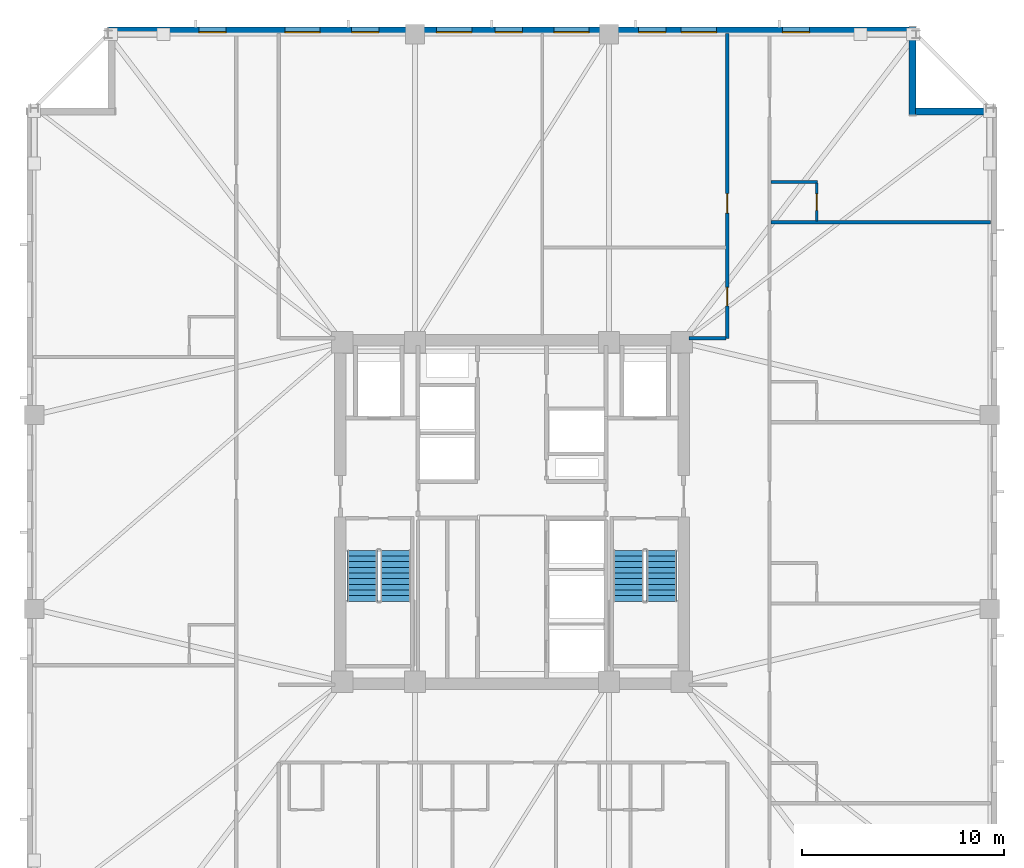
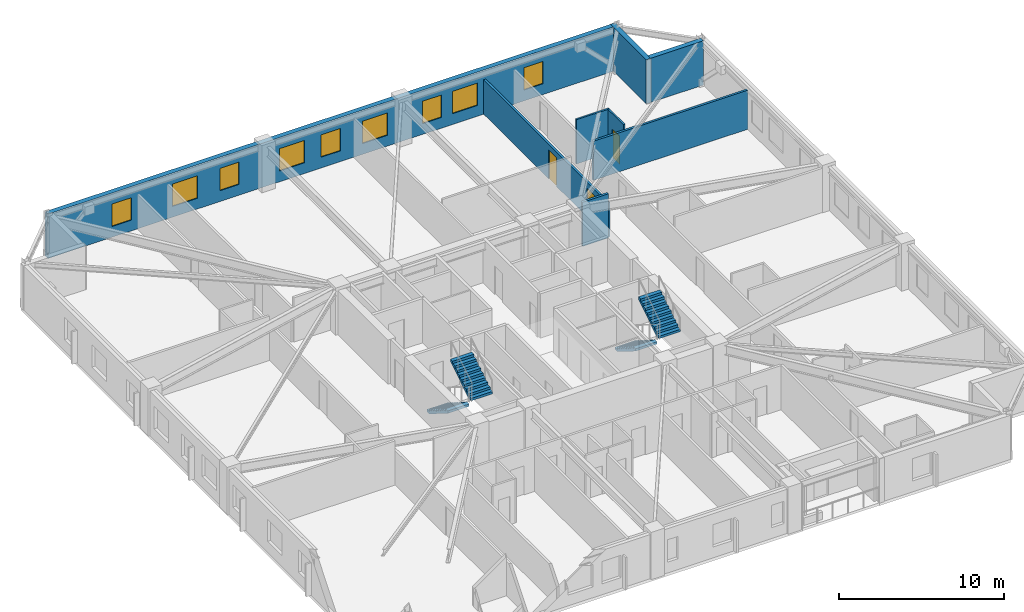
# One storey, part 6 of 11: 9 windows, 8 walls, 4 stair flights, 3 doors, 12 openings, 2 elements without a shape of their own.
"""IFC4 building model written with IfcOpenShell, lengths in metres."""

from ifc_helpers import new_model, si_unit, direction, frame, frame_2d, origin, place, context, subcontext, project, spatial, polyline, rectangle, outline, extrude, material, layer, layer_set, type_object, element, fill, aggregate, save


model = new_model("IFC4")

# Units and contexts
model_context = context("Model", 3, precision=1e-05, world=origin(), true_north=direction((0.0, 1.0)))
body_context = subcontext(model_context, "Body", "Model", "MODEL_VIEW")
ifc_project = project(units=[si_unit("LENGTHUNIT", "METRE"), si_unit("AREAUNIT", "SQUARE_METRE"), si_unit("VOLUMEUNIT", "CUBIC_METRE"), si_unit("PLANEANGLEUNIT", "RADIAN"), si_unit("MASSUNIT", "GRAM", prefix="KILO")], contexts=[model_context])

# Site, building, storey
site_placement = place(None, origin())
site = spatial("IfcSite", under=ifc_project, at=site_placement, CompositionType="ELEMENT")
building_placement = place(site_placement, origin())
building = spatial("IfcBuilding", under=site, at=building_placement, Name="Cairnveth Concourse Tower", CompositionType="ELEMENT")
storey_placement = place(building_placement, frame((0.0, 0.0, 162.0)))
storey = spatial("IfcBuildingStorey", under=building, at=storey_placement, Name="L44", CompositionType="ELEMENT", Elevation=162.0)

# Wall, openings, doors
ifc_material_1 = material(Name="Gypsum Plasterboard Partition", Category="gypsum")
ifc_layer_1 = layer(ifc_material_1, 0.159912109375)
ifc_layer_set_1 = layer_set([ifc_layer_1], Name="Gypsum Plasterboard Partition")
wall_type_1 = type_object("IfcWallType", Name="ACOUSTIC PARTY WALL 180", PredefinedType="PARTITIONING", material=ifc_layer_set_1)
wall_1_placement = place(storey_placement, frame((62.64990234375, 47.60009765625, 0.0), z_axis=(0.0, 0.0, 1.0), x_axis=(0.0, 1.0, 0.0)))
wall_1 = element("IfcWall", 1, at=wall_1_placement, inside=storey, type_object=wall_type_1, Name="Interior Wall IW-L44-043", PredefinedType="PARTITIONING", context=body_context, shape_type="SweptSolid", body=[
    extrude(rectangle(XDim=15.074951171875, YDim=0.159912109375, at=frame_2d((7.53759765625, 0.0))), origin(), (0.0, 0.0, 1.0), 2.554931640625),
])
opening_1_placement = place(wall_1_placement, frame((1.60009765625, 0.0, 0.0)))
opening_1 = element("IfcOpeningElement", 2, at=opening_1_placement, cuts=wall_1, Name="Opening ID15", PredefinedType="OPENING", context=body_context, shape_type="SweptSolid", body=[
    extrude(rectangle(XDim=0.919921875, YDim=2.1201171875, at=frame_2d((0.4599609375, 1.06005859375))), frame((0.0, 0.08984375, 0.0), z_axis=(0.0, -1.0, 0.0), x_axis=(1.0, 0.0, 0.0)), (0.0, 0.0, 1.0), 0.179931640625),
])
opening_2_placement = place(wall_1_placement, frame((6.199951171875, 0.0, 0.0)))
opening_2 = element("IfcOpeningElement", 3, at=opening_2_placement, cuts=wall_1, Name="Opening ID11", PredefinedType="OPENING", context=body_context, shape_type="SweptSolid", body=[
    extrude(rectangle(XDim=0.9599609375, YDim=2.1201171875, at=frame_2d((0.47998046875, 1.06005859375))), frame((0.0, 0.08984375, 0.0), z_axis=(0.0, -1.0, 0.0), x_axis=(1.0, 0.0, 0.0)), (0.0, 0.0, 1.0), 0.179931640625),
])
ifc_material_2 = material(Name="Solid Core Hardwood Timber Leaf", Category="wood")
door_type_1 = type_object("IfcDoorType", Name="INTERIOR SINGLE DOOR 920X2100", OperationType="NOTDEFINED", PredefinedType="DOOR", material=ifc_material_2)
door_1_placement = place(opening_1_placement, origin())
door_1 = element("IfcDoor", 4, at=door_1_placement, inside=storey, type_object=door_type_1, Name="Interior Door DR-L44-016", OperationType="SINGLE_SWING_RIGHT", OverallHeight=2.1201171875, OverallWidth=0.919921875, PredefinedType="DOOR", context=body_context, shape_type="SweptSolid", body=[
    extrude(rectangle(XDim=0.919921875, YDim=2.1201171875, at=frame_2d((0.4599609375, 1.06005859375))), frame((0.0, 0.02490234375, 0.0), z_axis=(0.0, -1.0, 0.0), x_axis=(1.0, 0.0, 0.0)), (0.0, 0.0, 1.0), 0.050048828125),
])
fill(opening_1, door_1)
door_type_2 = type_object("IfcDoorType", Name="INTERIOR SINGLE DOOR 960X2150", OperationType="NOTDEFINED", PredefinedType="DOOR", material=ifc_material_2)
door_2_placement = place(opening_2_placement, origin())
door_2 = element("IfcDoor", 5, at=door_2_placement, inside=storey, type_object=door_type_2, Name="Interior Door DR-L44-017", OperationType="SINGLE_SWING_LEFT", OverallHeight=2.1201171875, OverallWidth=0.9599609375, PredefinedType="DOOR", context=body_context, shape_type="SweptSolid", body=[
    extrude(rectangle(XDim=0.9599609375, YDim=2.1201171875, at=frame_2d((0.47998046875, 1.06005859375))), frame((0.0, 0.02490234375, 0.0), z_axis=(0.0, -1.0, 0.0), x_axis=(1.0, 0.0, 0.0)), (0.0, 0.0, 1.0), 0.050048828125),
])
fill(opening_2, door_2)

# Walls
wall_2_placement = place(storey_placement, frame((60.764892578125, 47.60009765625, 0.0), z_axis=(0.0, 0.0, 1.0), x_axis=(1.0, 0.0, 0.0)))
element("IfcWall", 6, at=wall_2_placement, inside=storey, type_object=wall_type_1, Name="Interior Wall IW-L44-045", PredefinedType="PARTITIONING", context=body_context, shape_type="SweptSolid", body=[
    extrude(rectangle(XDim=1.820068359375, YDim=0.159912109375, at=frame_2d((0.91015625, 0.0))), origin(), (0.0, 0.0, 1.0), 3.280029296875),
])
wall_3_placement = place(storey_placement, frame((64.830078125, 53.338134765625, 0.0), z_axis=(0.0, 0.0, 1.0), x_axis=(1.0, 0.0, 0.0)))
element("IfcWall", 7, at=wall_3_placement, inside=storey, type_object=wall_type_1, Name="Interior Wall IW-L44-085", PredefinedType="PARTITIONING", context=body_context, shape_type="SweptSolid", body=[
    extrude(rectangle(XDim=10.844970703125, YDim=0.159912109375, at=frame_2d((5.42236328125, 0.0))), origin(), (0.0, 0.0, 1.0), 2.89599609375),
])
ifc_layer_2 = layer(ifc_material_1, 0.1298828125)
ifc_layer_set_2 = layer_set([ifc_layer_2], Name="Gypsum Plasterboard Partition")
wall_type_2 = type_object("IfcWallType", Name="WET AREA PARTITION 140", PredefinedType="PLUMBINGWALL", material=ifc_layer_set_2)
wall_4_placement = place(storey_placement, frame((64.81494140625, 55.338134765625, 0.0), z_axis=(0.0, 0.0, 1.0), x_axis=(1.0, 0.0, 0.0)))
element("IfcWall", 8, at=wall_4_placement, inside=storey, type_object=wall_type_2, Name="Interior Wall IW-L44-086", PredefinedType="PLUMBINGWALL", context=body_context, shape_type="SweptSolid", body=[
    extrude(rectangle(XDim=2.31494140625, YDim=0.1298828125, at=frame_2d((1.157470703125, 0.0))), origin(), (0.0, 0.0, 1.0), 3.280029296875),
])

# Wall, opening, door
wall_5_placement = place(storey_placement, frame((67.080078125, 53.403076171875, 0.0), z_axis=(0.0, 0.0, 1.0), x_axis=(0.0, 1.0, 0.0)))
wall_5 = element("IfcWall", 9, at=wall_5_placement, inside=storey, type_object=wall_type_2, Name="Interior Wall IW-L44-087", PredefinedType="PLUMBINGWALL", context=body_context, shape_type="SweptSolid", body=[
    extrude(rectangle(XDim=1.885009765625, YDim=0.1298828125, at=frame_2d((0.9423828125, 0.0))), origin(), (0.0, 0.0, 1.0), 3.280029296875),
])
opening_3_placement = place(wall_5_placement, frame((0.52490234375, 0.0, 0.0)))
opening_3 = element("IfcOpeningElement", 10, at=opening_3_placement, cuts=wall_5, Name="Opening ID22", PredefinedType="OPENING", context=body_context, shape_type="SweptSolid", body=[
    extrude(rectangle(XDim=0.820068359375, YDim=2.10009765625, at=frame_2d((0.41015625, 1.050048828125))), frame((0.0, 0.074951171875, 0.0), z_axis=(0.0, -1.0, 0.0), x_axis=(1.0, 0.0, 0.0)), (0.0, 0.0, 1.0), 0.14990234375),
])
door_type_3 = type_object("IfcDoorType", Name="INTERIOR WC DOOR 820X2100", OperationType="NOTDEFINED", PredefinedType="DOOR", material=ifc_material_2)
door_3_placement = place(opening_3_placement, origin())
door_3 = element("IfcDoor", 11, at=door_3_placement, inside=storey, type_object=door_type_3, Name="En-Suite Door L44-E5", OperationType="SINGLE_SWING_RIGHT", OverallHeight=2.10009765625, OverallWidth=0.820068359375, PredefinedType="DOOR", context=body_context, shape_type="SweptSolid", body=[
    extrude(rectangle(XDim=0.820068359375, YDim=2.10009765625, at=frame_2d((0.41015625, 1.050048828125))), frame((0.0, 0.02490234375, 0.0), z_axis=(0.0, -1.0, 0.0), x_axis=(1.0, 0.0, 0.0)), (0.0, 0.0, 1.0), 0.050048828125),
])
fill(opening_3, door_3)

# Wall, openings, windows
ifc_material_3 = material(Name="Hawthorn Red-Ochre Fired Clay Brick Masonry", Category="masonry")
ifc_layer_3 = layer(ifc_material_3, 0.340087890625)
ifc_layer_set_3 = layer_set([ifc_layer_3], Name="Hawthorn Red-Ochre Fired Clay Brick Masonry")
wall_type_3 = type_object("IfcWallType", Name="ZONE 2 BRICK PIER SPANDREL WALL 340", PredefinedType="SOLIDWALL", material=ifc_layer_set_3)
wall_6_placement = place(storey_placement, frame((32.0, 62.830078125, 0.0), z_axis=(0.0, 0.0, 1.0), x_axis=(1.0, 0.0, 0.0)))
wall_6 = element("IfcWall", 12, at=wall_6_placement, inside=storey, type_object=wall_type_3, Name="Exterior Wall EW-L44-S06", PredefinedType="SOLIDWALL", context=body_context, shape_type="SweptSolid", body=[
    extrude(rectangle(XDim=39.681884765625, YDim=0.340087890625, at=frame_2d((19.8408203125, 0.0))), origin(), (0.0, 0.0, 1.0), 3.280029296875),
])
opening_4_placement = place(wall_6_placement, frame((4.501708984375, 0.0, 0.800048828125)))
opening_4 = element("IfcOpeningElement", 13, at=opening_4_placement, cuts=wall_6, Name="Opening W02", PredefinedType="OPENING", context=body_context, shape_type="SweptSolid", body=[
    extrude(rectangle(XDim=1.35009765625, YDim=1.659912109375, at=frame_2d((0.675048828125, 0.830078125))), frame((0.0, 0.179931640625, 0.0), z_axis=(0.0, -1.0, 0.0), x_axis=(1.0, 0.0, 0.0)), (0.0, 0.0, 1.0), 0.360107421875),
])
opening_5_placement = place(wall_6_placement, frame((8.75537109375, 0.0, 0.800048828125)))
opening_5 = element("IfcOpeningElement", 14, at=opening_5_placement, cuts=wall_6, Name="Opening W06", PredefinedType="OPENING", context=body_context, shape_type="SweptSolid", body=[
    extrude(rectangle(XDim=1.75, YDim=1.659912109375, at=frame_2d((0.875, 0.830078125))), frame((0.0, 0.179931640625, 0.0), z_axis=(0.0, -1.0, 0.0), x_axis=(1.0, 0.0, 0.0)), (0.0, 0.0, 1.0), 0.360107421875),
])
opening_6_placement = place(wall_6_placement, frame((12.058837890625, 0.0, 0.800048828125)))
opening_6 = element("IfcOpeningElement", 15, at=opening_6_placement, cuts=wall_6, Name="Opening W02", PredefinedType="OPENING", context=body_context, shape_type="SweptSolid", body=[
    extrude(rectangle(XDim=1.35009765625, YDim=1.659912109375, at=frame_2d((0.675048828125, 0.830078125))), frame((0.0, 0.179931640625, 0.0), z_axis=(0.0, -1.0, 0.0), x_axis=(1.0, 0.0, 0.0)), (0.0, 0.0, 1.0), 0.360107421875),
])
opening_7_placement = place(wall_6_placement, frame((16.262451171875, 0.0, 0.800048828125)))
opening_7 = element("IfcOpeningElement", 16, at=opening_7_placement, cuts=wall_6, Name="Opening W06", PredefinedType="OPENING", context=body_context, shape_type="SweptSolid", body=[
    extrude(rectangle(XDim=1.75, YDim=1.659912109375, at=frame_2d((0.875, 0.830078125))), frame((0.0, 0.179931640625, 0.0), z_axis=(0.0, -1.0, 0.0), x_axis=(1.0, 0.0, 0.0)), (0.0, 0.0, 1.0), 0.360107421875),
])
opening_8_placement = place(wall_6_placement, frame((19.166015625, 0.0, 0.800048828125)))
opening_8 = element("IfcOpeningElement", 17, at=opening_8_placement, cuts=wall_6, Name="Opening W02", PredefinedType="OPENING", context=body_context, shape_type="SweptSolid", body=[
    extrude(rectangle(XDim=1.35009765625, YDim=1.659912109375, at=frame_2d((0.675048828125, 0.830078125))), frame((0.0, 0.179931640625, 0.0), z_axis=(0.0, -1.0, 0.0), x_axis=(1.0, 0.0, 0.0)), (0.0, 0.0, 1.0), 0.360107421875),
])
opening_9_placement = place(wall_6_placement, frame((22.069580078125, 0.0, 0.800048828125)))
opening_9 = element("IfcOpeningElement", 18, at=opening_9_placement, cuts=wall_6, Name="Opening W06", PredefinedType="OPENING", context=body_context, shape_type="SweptSolid", body=[
    extrude(rectangle(XDim=1.75, YDim=1.659912109375, at=frame_2d((0.875, 0.830078125))), frame((0.0, 0.179931640625, 0.0), z_axis=(0.0, -1.0, 0.0), x_axis=(1.0, 0.0, 0.0)), (0.0, 0.0, 1.0), 0.360107421875),
])
opening_10_placement = place(wall_6_placement, frame((26.273193359375, 0.0, 0.800048828125)))
opening_10 = element("IfcOpeningElement", 19, at=opening_10_placement, cuts=wall_6, Name="Opening W02", PredefinedType="OPENING", context=body_context, shape_type="SweptSolid", body=[
    extrude(rectangle(XDim=1.35009765625, YDim=1.659912109375, at=frame_2d((0.675048828125, 0.830078125))), frame((0.0, 0.179931640625, 0.0), z_axis=(0.0, -1.0, 0.0), x_axis=(1.0, 0.0, 0.0)), (0.0, 0.0, 1.0), 0.360107421875),
])
opening_11_placement = place(wall_6_placement, frame((28.376708984375, 0.0, 0.800048828125)))
opening_11 = element("IfcOpeningElement", 20, at=opening_11_placement, cuts=wall_6, Name="Opening W06", PredefinedType="OPENING", context=body_context, shape_type="SweptSolid", body=[
    extrude(rectangle(XDim=1.75, YDim=1.659912109375, at=frame_2d((0.875, 0.830078125))), frame((0.0, 0.179931640625, 0.0), z_axis=(0.0, -1.0, 0.0), x_axis=(1.0, 0.0, 0.0)), (0.0, 0.0, 1.0), 0.360107421875),
])
opening_12_placement = place(wall_6_placement, frame((33.380126953125, 0.0, 0.800048828125)))
opening_12 = element("IfcOpeningElement", 21, at=opening_12_placement, cuts=wall_6, Name="Opening W02", PredefinedType="OPENING", context=body_context, shape_type="SweptSolid", body=[
    extrude(rectangle(XDim=1.35009765625, YDim=1.659912109375, at=frame_2d((0.675048828125, 0.830078125))), frame((0.0, 0.179931640625, 0.0), z_axis=(0.0, -1.0, 0.0), x_axis=(1.0, 0.0, 0.0)), (0.0, 0.0, 1.0), 0.360107421875),
])
ifc_material_4 = material(Name="Double Glazed Low-E Clear Glass", Category="glass")
window_type_1 = type_object("IfcWindowType", Name="DEEP-SET GOTHIC LANCET WINDOW 1350X1800", PartitioningType="DOUBLE_PANEL_VERTICAL", PredefinedType="WINDOW", material=ifc_material_4)
window_1_placement = place(opening_4_placement, origin())
window_1 = element("IfcWindow", 22, at=window_1_placement, inside=storey, type_object=window_type_1, Name="Gothic Lancet Window L44-6-1", OverallHeight=1.659912109375, OverallWidth=1.35009765625, PartitioningType="SINGLE_PANEL", PredefinedType="WINDOW", context=body_context, shape_type="SweptSolid", body=[
    extrude(rectangle(XDim=1.35009765625, YDim=1.659912109375, at=frame_2d((0.675048828125, 0.830078125))), frame((0.0, -0.050048828125, 0.0), z_axis=(0.0, -1.0, 0.0), x_axis=(1.0, 0.0, 0.0)), (0.0, 0.0, 1.0), 0.06005859375),
])
fill(opening_4, window_1)
window_2_placement = place(opening_6_placement, origin())
window_2 = element("IfcWindow", 23, at=window_2_placement, inside=storey, type_object=window_type_1, Name="Gothic Lancet Window L44-6-3", OverallHeight=1.659912109375, OverallWidth=1.35009765625, PartitioningType="SINGLE_PANEL", PredefinedType="WINDOW", context=body_context, shape_type="SweptSolid", body=[
    extrude(rectangle(XDim=1.35009765625, YDim=1.659912109375, at=frame_2d((0.675048828125, 0.830078125))), frame((0.0, -0.050048828125, 0.0), z_axis=(0.0, -1.0, 0.0), x_axis=(1.0, 0.0, 0.0)), (0.0, 0.0, 1.0), 0.06005859375),
])
fill(opening_6, window_2)
window_3_placement = place(opening_8_placement, origin())
window_3 = element("IfcWindow", 24, at=window_3_placement, inside=storey, type_object=window_type_1, Name="Gothic Lancet Window L44-6-5", OverallHeight=1.659912109375, OverallWidth=1.35009765625, PartitioningType="SINGLE_PANEL", PredefinedType="WINDOW", context=body_context, shape_type="SweptSolid", body=[
    extrude(rectangle(XDim=1.35009765625, YDim=1.659912109375, at=frame_2d((0.675048828125, 0.830078125))), frame((0.0, -0.050048828125, 0.0), z_axis=(0.0, -1.0, 0.0), x_axis=(1.0, 0.0, 0.0)), (0.0, 0.0, 1.0), 0.06005859375),
])
fill(opening_8, window_3)
window_4_placement = place(opening_10_placement, origin())
window_4 = element("IfcWindow", 25, at=window_4_placement, inside=storey, type_object=window_type_1, Name="Gothic Lancet Window L44-6-7", OverallHeight=1.659912109375, OverallWidth=1.35009765625, PartitioningType="SINGLE_PANEL", PredefinedType="WINDOW", context=body_context, shape_type="SweptSolid", body=[
    extrude(rectangle(XDim=1.35009765625, YDim=1.659912109375, at=frame_2d((0.675048828125, 0.830078125))), frame((0.0, -0.050048828125, 0.0), z_axis=(0.0, -1.0, 0.0), x_axis=(1.0, 0.0, 0.0)), (0.0, 0.0, 1.0), 0.06005859375),
])
fill(opening_10, window_4)
window_5_placement = place(opening_12_placement, origin())
window_5 = element("IfcWindow", 26, at=window_5_placement, inside=storey, type_object=window_type_1, Name="Gothic Lancet Window L44-6-9", OverallHeight=1.659912109375, OverallWidth=1.35009765625, PartitioningType="SINGLE_PANEL", PredefinedType="WINDOW", context=body_context, shape_type="SweptSolid", body=[
    extrude(rectangle(XDim=1.35009765625, YDim=1.659912109375, at=frame_2d((0.675048828125, 0.830078125))), frame((0.0, -0.050048828125, 0.0), z_axis=(0.0, -1.0, 0.0), x_axis=(1.0, 0.0, 0.0)), (0.0, 0.0, 1.0), 0.06005859375),
])
fill(opening_12, window_5)
window_type_2 = type_object("IfcWindowType", Name="DEEP-SET HOTEL SUITE WINDOW 1750X1800", PartitioningType="DOUBLE_PANEL_VERTICAL", PredefinedType="WINDOW", material=ifc_material_4)
window_6_placement = place(opening_5_placement, origin())
window_6 = element("IfcWindow", 27, at=window_6_placement, inside=storey, type_object=window_type_2, Name="Gothic Lancet Window L44-6-2", OverallHeight=1.659912109375, OverallWidth=1.75, PartitioningType="SINGLE_PANEL", PredefinedType="WINDOW", context=body_context, shape_type="SweptSolid", body=[
    extrude(rectangle(XDim=1.75, YDim=1.659912109375, at=frame_2d((0.875, 0.830078125))), frame((0.0, -0.050048828125, 0.0), z_axis=(0.0, -1.0, 0.0), x_axis=(1.0, 0.0, 0.0)), (0.0, 0.0, 1.0), 0.06005859375),
])
fill(opening_5, window_6)
window_7_placement = place(opening_7_placement, origin())
window_7 = element("IfcWindow", 28, at=window_7_placement, inside=storey, type_object=window_type_2, Name="Gothic Lancet Window L44-6-4", OverallHeight=1.659912109375, OverallWidth=1.75, PartitioningType="SINGLE_PANEL", PredefinedType="WINDOW", context=body_context, shape_type="SweptSolid", body=[
    extrude(rectangle(XDim=1.75, YDim=1.659912109375, at=frame_2d((0.875, 0.830078125))), frame((0.0, -0.050048828125, 0.0), z_axis=(0.0, -1.0, 0.0), x_axis=(1.0, 0.0, 0.0)), (0.0, 0.0, 1.0), 0.06005859375),
])
fill(opening_7, window_7)
window_8_placement = place(opening_9_placement, origin())
window_8 = element("IfcWindow", 29, at=window_8_placement, inside=storey, type_object=window_type_2, Name="Gothic Lancet Window L44-6-6", OverallHeight=1.659912109375, OverallWidth=1.75, PartitioningType="SINGLE_PANEL", PredefinedType="WINDOW", context=body_context, shape_type="SweptSolid", body=[
    extrude(rectangle(XDim=1.75, YDim=1.659912109375, at=frame_2d((0.875, 0.830078125))), frame((0.0, -0.050048828125, 0.0), z_axis=(0.0, -1.0, 0.0), x_axis=(1.0, 0.0, 0.0)), (0.0, 0.0, 1.0), 0.06005859375),
])
fill(opening_9, window_8)
window_9_placement = place(opening_11_placement, origin())
window_9 = element("IfcWindow", 30, at=window_9_placement, inside=storey, type_object=window_type_2, Name="Gothic Lancet Window L44-6-8", OverallHeight=1.659912109375, OverallWidth=1.75, PartitioningType="SINGLE_PANEL", PredefinedType="WINDOW", context=body_context, shape_type="SweptSolid", body=[
    extrude(rectangle(XDim=1.75, YDim=1.659912109375, at=frame_2d((0.875, 0.830078125))), frame((0.0, -0.050048828125, 0.0), z_axis=(0.0, -1.0, 0.0), x_axis=(1.0, 0.0, 0.0)), (0.0, 0.0, 1.0), 0.06005859375),
])
fill(opening_11, window_9)

# Walls
wall_7_placement = place(storey_placement, frame((71.830078125, 63.0, 0.0), z_axis=(0.0, 0.0, 1.0), x_axis=(0.0, -1.0, 0.0)))
element("IfcWall", 31, at=wall_7_placement, inside=storey, type_object=wall_type_3, Name="Exterior Wall EW-L44-S07", PredefinedType="SOLIDWALL", context=body_context, shape_type="SweptSolid", body=[
    extrude(rectangle(XDim=4.340087890625, YDim=0.340087890625, at=frame_2d((2.169921875, 0.0))), origin(), (0.0, 0.0, 1.0), 3.280029296875),
])
wall_8_placement = place(storey_placement, frame((71.97802734375, 58.830078125, 0.0), z_axis=(0.0, 0.0, 1.0), x_axis=(1.0, 0.0, 0.0)))
element("IfcWall", 32, at=wall_8_placement, inside=storey, type_object=wall_type_3, Name="Exterior Wall EW-L44-S08", PredefinedType="SOLIDWALL", context=body_context, shape_type="SweptSolid", body=[
    extrude(rectangle(XDim=3.703857421875, YDim=0.340087890625, at=frame_2d((1.85205078125, 0.0))), origin(), (0.0, 0.0, 1.0), 3.280029296875),
])

# Stair, stair flights
ifc_material_5 = material(Name="Precast concrete N50 (50 MPa)", Category="concrete")
stair_type = type_object("IfcStairType", Name="CORE DOG-LEG FIRE STAIR 1500", PredefinedType="HALF_TURN_STAIR", material=ifc_material_5)
stair_1_placement = place(storey_placement, origin())
stair_1 = element("IfcStair", 33, at=stair_1_placement, inside=storey, type_object=stair_type, Name="L44 Fire-Isolated Stair ST-1", PredefinedType="HALF_TURN_STAIR")
stair_flight_type = type_object("IfcStairFlightType", Name="PRECAST CONCRETE STAIR FLIGHT 1500", PredefinedType="STRAIGHT", material=ifc_material_5)
stair_flight_1_placement = place(storey_placement, frame((44.590087890625, 37.10009765625, 0.0), z_axis=(0.0, 0.0, 1.0), x_axis=(0.0, -1.0, 0.0)))
stair_flight_1 = element("IfcStairFlight", 34, at=stair_flight_1_placement, type_object=stair_flight_type, Name="ST-1 flight 1", NumberOfRisers=10, NumberOfTreads=9, PredefinedType="STRAIGHT", RiserHeight=0.175, TreadLength=0.28, context=body_context, shape_type="SweptSolid", body=[
    extrude(outline(polyline([(0.0, 0.0), (0.0, 0.175048828125), (0.280029296875, 0.175048828125), (0.280029296875, 0.35009765625), (0.56005859375, 0.35009765625), (0.56005859375, 0.52490234375), (0.840087890625, 0.52490234375), (0.840087890625, 0.699951171875), (1.1201171875, 0.699951171875), (1.1201171875, 0.875), (1.39990234375, 0.875), (1.39990234375, 1.050048828125), (1.679931640625, 1.050048828125), (1.679931640625, 1.22509765625), (1.9599609375, 1.22509765625), (1.9599609375, 1.39990234375), (2.239990234375, 1.39990234375), (2.239990234375, 1.574951171875), (2.52001953125, 1.574951171875), (2.52001953125, 1.75), (2.52001953125, 1.398193359375), (0.28271484375, 0.0), (0.0, 0.0)])), frame((0.0, 0.75, 0.0), z_axis=(0.0, -1.0, 0.0), x_axis=(1.0, 0.0, 0.0)), (0.0, 0.0, 1.0), 1.5),
])
stair_flight_2_placement = place(storey_placement, frame((46.22998046875, 34.580078125, 1.75), z_axis=(0.0, 0.0, 1.0), x_axis=(0.0, 1.0, 0.0)))
stair_flight_2 = element("IfcStairFlight", 35, at=stair_flight_2_placement, type_object=stair_flight_type, Name="ST-1 flight 2", NumberOfRisers=10, NumberOfTreads=9, PredefinedType="STRAIGHT", RiserHeight=0.175, TreadLength=0.28, context=body_context, shape_type="SweptSolid", body=[
    extrude(outline(polyline([(0.0, 0.0), (0.0, 0.175048828125), (0.280029296875, 0.175048828125), (0.280029296875, 0.35009765625), (0.56005859375, 0.35009765625), (0.56005859375, 0.52490234375), (0.840087890625, 0.52490234375), (0.840087890625, 0.699951171875), (1.1201171875, 0.699951171875), (1.1201171875, 0.875), (1.39990234375, 0.875), (1.39990234375, 1.050048828125), (1.679931640625, 1.050048828125), (1.679931640625, 1.22509765625), (1.9599609375, 1.22509765625), (1.9599609375, 1.39990234375), (2.239990234375, 1.39990234375), (2.239990234375, 1.574951171875), (2.52001953125, 1.574951171875), (2.52001953125, 1.75), (2.52001953125, 1.398193359375), (0.28271484375, 0.0), (0.0, 0.0)])), frame((0.0, 0.75, 0.0), z_axis=(0.0, -1.0, 0.0), x_axis=(1.0, 0.0, 0.0)), (0.0, 0.0, 1.0), 1.5),
])
aggregate(stair_1, [stair_flight_1, stair_flight_2])

stair_2_placement = place(storey_placement, origin())
stair_2 = element("IfcStair", 36, at=stair_2_placement, inside=storey, type_object=stair_type, Name="L44 Fire-Isolated Stair ST-2", PredefinedType="HALF_TURN_STAIR")
stair_flight_3_placement = place(storey_placement, frame((57.77001953125, 37.10009765625, 0.0), z_axis=(0.0, 0.0, 1.0), x_axis=(0.0, -1.0, 0.0)))
stair_flight_3 = element("IfcStairFlight", 37, at=stair_flight_3_placement, type_object=stair_flight_type, Name="ST-2 flight 1", NumberOfRisers=10, NumberOfTreads=9, PredefinedType="STRAIGHT", RiserHeight=0.175, TreadLength=0.28, context=body_context, shape_type="SweptSolid", body=[
    extrude(outline(polyline([(0.0, 0.0), (0.0, 0.175048828125), (0.280029296875, 0.175048828125), (0.280029296875, 0.35009765625), (0.56005859375, 0.35009765625), (0.56005859375, 0.52490234375), (0.840087890625, 0.52490234375), (0.840087890625, 0.699951171875), (1.1201171875, 0.699951171875), (1.1201171875, 0.875), (1.39990234375, 0.875), (1.39990234375, 1.050048828125), (1.679931640625, 1.050048828125), (1.679931640625, 1.22509765625), (1.9599609375, 1.22509765625), (1.9599609375, 1.39990234375), (2.239990234375, 1.39990234375), (2.239990234375, 1.574951171875), (2.52001953125, 1.574951171875), (2.52001953125, 1.75), (2.52001953125, 1.398193359375), (0.28271484375, 0.0), (0.0, 0.0)])), frame((0.0, 0.75, 0.0), z_axis=(0.0, -1.0, 0.0), x_axis=(1.0, 0.0, 0.0)), (0.0, 0.0, 1.0), 1.5),
])
stair_flight_4_placement = place(storey_placement, frame((59.409912109375, 34.580078125, 1.75), z_axis=(0.0, 0.0, 1.0), x_axis=(0.0, 1.0, 0.0)))
stair_flight_4 = element("IfcStairFlight", 38, at=stair_flight_4_placement, type_object=stair_flight_type, Name="ST-2 flight 2", NumberOfRisers=10, NumberOfTreads=9, PredefinedType="STRAIGHT", RiserHeight=0.175, TreadLength=0.28, context=body_context, shape_type="SweptSolid", body=[
    extrude(outline(polyline([(0.0, 0.0), (0.0, 0.175048828125), (0.280029296875, 0.175048828125), (0.280029296875, 0.35009765625), (0.56005859375, 0.35009765625), (0.56005859375, 0.52490234375), (0.840087890625, 0.52490234375), (0.840087890625, 0.699951171875), (1.1201171875, 0.699951171875), (1.1201171875, 0.875), (1.39990234375, 0.875), (1.39990234375, 1.050048828125), (1.679931640625, 1.050048828125), (1.679931640625, 1.22509765625), (1.9599609375, 1.22509765625), (1.9599609375, 1.39990234375), (2.239990234375, 1.39990234375), (2.239990234375, 1.574951171875), (2.52001953125, 1.574951171875), (2.52001953125, 1.75), (2.52001953125, 1.398193359375), (0.28271484375, 0.0), (0.0, 0.0)])), frame((0.0, 0.75, 0.0), z_axis=(0.0, -1.0, 0.0), x_axis=(1.0, 0.0, 0.0)), (0.0, 0.0, 1.0), 1.5),
])
aggregate(stair_2, [stair_flight_3, stair_flight_4])

save(model, "model.ifc")
